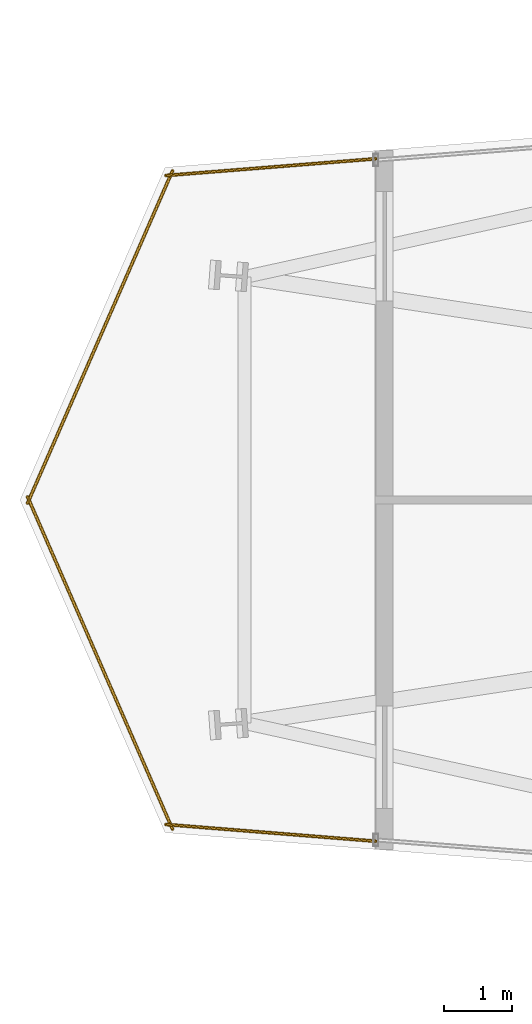
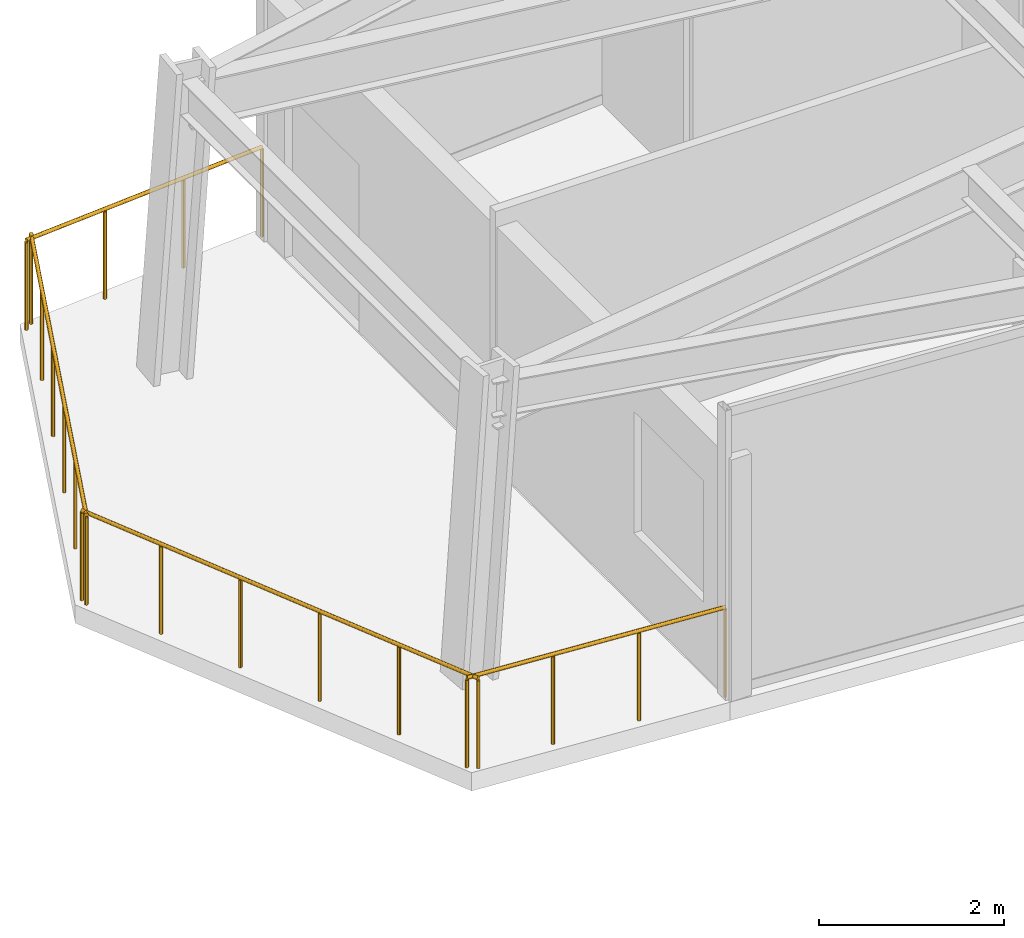
# One storey, part 25 of 26: 4 railings.
"""IFC4 building model written with IfcOpenShell, lengths in metres."""

from ifc_helpers import new_model, si_unit, direction, frame, origin, origin_2d, place, context, subcontext, project, spatial, circle, extrude, material, type_object, element, save


model = new_model("IFC4")

# Units and contexts
model_context = context("Model", 3, precision=1e-05, world=origin(), true_north=direction((0.0, 1.0)))
body_context = subcontext(model_context, "Body", "Model", "MODEL_VIEW")
ifc_project = project(units=[si_unit("LENGTHUNIT", "METRE"), si_unit("AREAUNIT", "SQUARE_METRE"), si_unit("VOLUMEUNIT", "CUBIC_METRE"), si_unit("PLANEANGLEUNIT", "RADIAN"), si_unit("MASSUNIT", "GRAM", prefix="KILO")], contexts=[model_context])

# Site, building, storey
site_placement = place(None, origin())
site = spatial("IfcSite", under=ifc_project, at=site_placement, CompositionType="ELEMENT")
building_placement = place(site_placement, origin())
building = spatial("IfcBuilding", under=site, at=building_placement, Name="Veymaron Broadcast Tower", CompositionType="ELEMENT")
storey_placement = place(building_placement, frame((0.0, 0.0, 90.449951171875)))
storey = spatial("IfcBuildingStorey", under=building, at=storey_placement, Name="L20", CompositionType="ELEMENT", Elevation=90.449951171875)

# Railings
ifc_material = material(Name="Laminated structural sentry-glass and stainless steel AISI 316L", Category="steel")
railing_type = type_object("IfcRailingType", Name="RAIL-TERR-1200", PredefinedType="GUARDRAIL", material=ifc_material)
railing_1_placement = place(storey_placement, frame((11.585693359375, 28.996337890625, 0.0)))
element("IfcRailing", 1, at=railing_1_placement, inside=storey, type_object=railing_type, Name="L20 sky-terrace perimeter guardrail 2", PredefinedType="GUARDRAIL", context=body_context, shape_type="SweptSolid", body=[
    extrude(circle(Radius=0.02392578125, at=origin_2d()), frame((0.0, 0.0, 1.17578125), z_axis=(-0.996827843772, -0.07958800086, 0.0), x_axis=(0.07958800086, -0.996827843772, 0.0)), (0.0, 0.0, 1.0), 3.0859375),
    extrude(circle(Radius=0.02099609375, at=origin_2d()), origin(), (0.0, 0.0, 1.0), 1.15185546875),
    extrude(circle(Radius=0.02099609375, at=origin_2d()), frame((-1.025390625, -0.081787109375, 0.0)), (0.0, 0.0, 1.0), 1.15185546875),
    extrude(circle(Radius=0.02099609375, at=origin_2d()), frame((-2.05078125, -0.163818359375, 0.0)), (0.0, 0.0, 1.0), 1.15185546875),
    extrude(circle(Radius=0.02099609375, at=origin_2d()), frame((-3.076171875, -0.24560546875, 0.0)), (0.0, 0.0, 1.0), 1.15185546875),
])
railing_2_placement = place(storey_placement, frame((8.610107421875, 28.822509765625, 0.0)))
element("IfcRailing", 2, at=railing_2_placement, inside=storey, type_object=railing_type, Name="L20 sky-terrace perimeter guardrail 3", PredefinedType="GUARDRAIL", context=body_context, shape_type="SweptSolid", body=[
    extrude(circle(Radius=0.02392578125, at=origin_2d()), frame((0.0, 0.0, 1.17578125), z_axis=(-0.399733916154, -0.916631221526, 0.0), x_axis=(0.916631221526, -0.399733916154, 0.0)), (0.0, 0.0, 1.0), 5.3134765625),
    extrude(circle(Radius=0.02099609375, at=origin_2d()), origin(), (0.0, 0.0, 1.0), 1.15185546875),
    extrude(circle(Radius=0.02099609375, at=origin_2d()), frame((-0.4248046875, -0.97412109375, 0.0)), (0.0, 0.0, 1.0), 1.15185546875),
    extrude(circle(Radius=0.02099609375, at=origin_2d()), frame((-0.849609375, -1.9482421875, 0.0)), (0.0, 0.0, 1.0), 1.15185546875),
    extrude(circle(Radius=0.02099609375, at=origin_2d()), frame((-1.2744140625, -2.92236328125, 0.0)), (0.0, 0.0, 1.0), 1.15185546875),
    extrude(circle(Radius=0.02099609375, at=origin_2d()), frame((-1.69921875, -3.896484375, 0.0)), (0.0, 0.0, 1.0), 1.15185546875),
    extrude(circle(Radius=0.02099609375, at=origin_2d()), frame((-2.1240234375, -4.87060546875, 0.0)), (0.0, 0.0, 1.0), 1.15185546875),
])
railing_3_placement = place(storey_placement, frame((6.486083984375, 24.048095703125, 0.0)))
element("IfcRailing", 3, at=railing_3_placement, inside=storey, type_object=railing_type, Name="L20 sky-terrace perimeter guardrail 4", PredefinedType="GUARDRAIL", context=body_context, shape_type="SweptSolid", body=[
    extrude(circle(Radius=0.02392578125, at=origin_2d()), frame((0.0, 0.0, 1.17578125), z_axis=(0.399733916154, -0.916631221526, 0.0), x_axis=(0.916631221526, 0.399733916154, 0.0)), (0.0, 0.0, 1.0), 5.3134765625),
    extrude(circle(Radius=0.02099609375, at=origin_2d()), origin(), (0.0, 0.0, 1.0), 1.15185546875),
    extrude(circle(Radius=0.02099609375, at=origin_2d()), frame((0.4248046875, -0.97412109375, 0.0)), (0.0, 0.0, 1.0), 1.15185546875),
    extrude(circle(Radius=0.02099609375, at=origin_2d()), frame((0.849609375, -1.9482421875, 0.0)), (0.0, 0.0, 1.0), 1.15185546875),
    extrude(circle(Radius=0.02099609375, at=origin_2d()), frame((1.2744140625, -2.92236328125, 0.0)), (0.0, 0.0, 1.0), 1.15185546875),
    extrude(circle(Radius=0.02099609375, at=origin_2d()), frame((1.69921875, -3.896484375, 0.0)), (0.0, 0.0, 1.0), 1.15185546875),
    extrude(circle(Radius=0.02099609375, at=origin_2d()), frame((2.1240234375, -4.87060546875, 0.0)), (0.0, 0.0, 1.0), 1.15185546875),
])
railing_4_placement = place(storey_placement, frame((8.509521484375, 19.249267578125, 0.0)))
element("IfcRailing", 4, at=railing_4_placement, inside=storey, type_object=railing_type, Name="L20 sky-terrace perimeter guardrail 5", PredefinedType="GUARDRAIL", context=body_context, shape_type="SweptSolid", body=[
    extrude(circle(Radius=0.02392578125, at=origin_2d()), frame((0.0, 0.0, 1.17578125), z_axis=(0.996827843772, -0.07958800086, 0.0), x_axis=(0.07958800086, 0.996827843772, 0.0)), (0.0, 0.0, 1.0), 3.0859375),
    extrude(circle(Radius=0.02099609375, at=origin_2d()), origin(), (0.0, 0.0, 1.0), 1.15185546875),
    extrude(circle(Radius=0.02099609375, at=origin_2d()), frame((1.025390625, -0.081787109375, 0.0)), (0.0, 0.0, 1.0), 1.15185546875),
    extrude(circle(Radius=0.02099609375, at=origin_2d()), frame((2.05078125, -0.163818359375, 0.0)), (0.0, 0.0, 1.0), 1.15185546875),
    extrude(circle(Radius=0.02099609375, at=origin_2d()), frame((3.076171875, -0.24560546875, 0.0)), (0.0, 0.0, 1.0), 1.15185546875),
])

save(model, "model.ifc")
